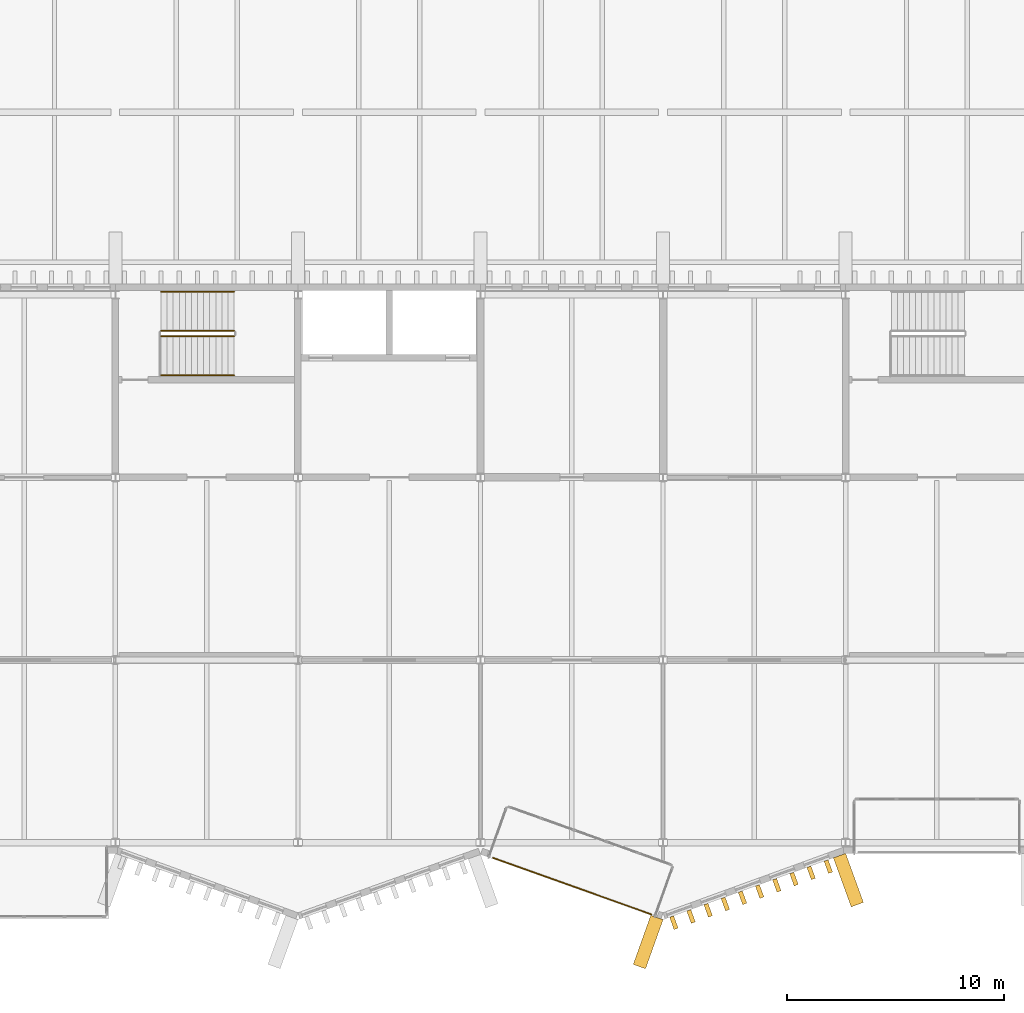
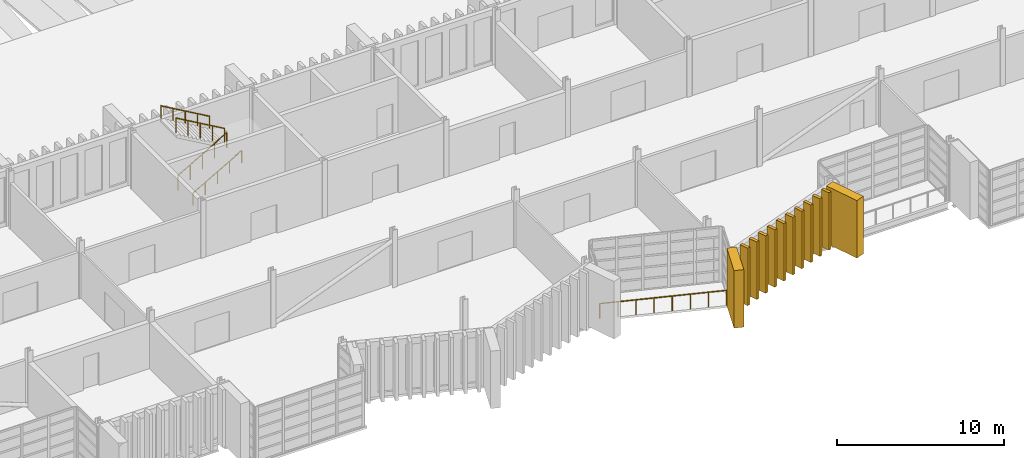
# One storey, part 84 of 96: 12 coverings, 5 railings.
"""IFC4 building model written with IfcOpenShell, lengths in metres."""

from ifc_helpers import new_model, si_unit, direction, frame, origin, origin_2d, place, context, subcontext, project, spatial, rectangle, circle, extrude, material, type_object, element, save


model = new_model("IFC4")

# Units and contexts
model_context = context("Model", 3, precision=1e-05, world=origin(), true_north=direction((0.0, 1.0)))
body_context = subcontext(model_context, "Body", "Model", "MODEL_VIEW")
ifc_project = project(units=[si_unit("LENGTHUNIT", "METRE"), si_unit("AREAUNIT", "SQUARE_METRE"), si_unit("VOLUMEUNIT", "CUBIC_METRE"), si_unit("PLANEANGLEUNIT", "RADIAN"), si_unit("MASSUNIT", "GRAM", prefix="KILO")], contexts=[model_context])

# Site, building, storey
site_placement = place(None, origin())
site = spatial("IfcSite", under=ifc_project, at=site_placement, CompositionType="ELEMENT")
building_placement = place(site_placement, origin())
building = spatial("IfcBuilding", under=site, at=building_placement, Name="Cresset Court Congress Hotel", CompositionType="ELEMENT")
storey_placement = place(building_placement, frame((0.0, 0.0, 6.0)))
storey = spatial("IfcBuildingStorey", under=building, at=storey_placement, Name="L01", CompositionType="ELEMENT", Elevation=6.0)

# Railings
ifc_material_1 = material(Name="Steel and laminated glass", Category="steel")
railing_type_1 = type_object("IfcRailingType", Name="Guard 1100 steel and glass", PredefinedType="GUARDRAIL", material=ifc_material_1)
railing_1_placement = place(storey_placement, frame((102.89990234375, 23.300048828125, 0.16162109375)))
element("IfcRailing", 1, at=railing_1_placement, inside=storey, type_object=railing_type_1, Name="L01 ST-B4 stair guard 1", PredefinedType="GUARDRAIL", context=body_context, shape_type="SweptSolid", body=[
    extrude(circle(Radius=0.02392578125, at=origin_2d()), frame((0.0, 0.0, 1.076171875), z_axis=(0.866190824863, 0.0, 0.499713372768), x_axis=(0.0, 1.0, 0.0)), (0.0, 0.0, 1.0), 3.879150390625),
    extrude(circle(Radius=0.02099609375, at=origin_2d()), origin(), (0.0, 0.0, 1.0), 1.052001953125),
    extrude(circle(Radius=0.02099609375, at=origin_2d()), frame((0.840087890625, 0.0, 0.484619140625)), (0.0, 0.0, 1.0), 1.052001953125),
    extrude(circle(Radius=0.02099609375, at=origin_2d()), frame((1.68017578125, 0.0, 0.96923828125)), (0.0, 0.0, 1.0), 1.052001953125),
    extrude(circle(Radius=0.02099609375, at=origin_2d()), frame((2.52001953125, 0.0, 1.453857421875)), (0.0, 0.0, 1.0), 1.052001953125),
    extrude(circle(Radius=0.02099609375, at=origin_2d()), frame((3.360107421875, 0.0, 1.9384765625)), (0.0, 0.0, 1.0), 1.052001953125),
])
railing_2_placement = place(storey_placement, frame((106.260009765625, 23.550048828125, 2.261474609375)))
element("IfcRailing", 2, at=railing_2_placement, inside=storey, type_object=railing_type_1, Name="L01 ST-B4 stair guard 3", PredefinedType="GUARDRAIL", context=body_context, shape_type="SweptSolid", body=[
    extrude(circle(Radius=0.02392578125, at=origin_2d()), frame((0.0, 0.0, 1.076171875), z_axis=(-0.866190824863, 0.0, 0.499713372768), x_axis=(0.0, -1.0, 0.0)), (0.0, 0.0, 1.0), 3.879150390625),
    extrude(circle(Radius=0.02099609375, at=origin_2d()), origin(), (0.0, 0.0, 1.0), 1.052001953125),
    extrude(circle(Radius=0.02099609375, at=origin_2d()), frame((-0.840087890625, 0.0, 0.484619140625)), (0.0, 0.0, 1.0), 1.052001953125),
    extrude(circle(Radius=0.02099609375, at=origin_2d()), frame((-1.68017578125, 0.0, 0.96923828125)), (0.0, 0.0, 1.0), 1.052001953125),
    extrude(circle(Radius=0.02099609375, at=origin_2d()), frame((-2.52001953125, 0.0, 1.453857421875)), (0.0, 0.0, 1.0), 1.052001953125),
    extrude(circle(Radius=0.02099609375, at=origin_2d()), frame((-3.360107421875, 0.0, 1.9384765625)), (0.0, 0.0, 1.0), 1.052001953125),
])
ifc_material_2 = material(Name="Steel and laminated glass", Category="steel")
railing_type_2 = type_object("IfcRailingType", Name="Guard 1100 steel and glass external", PredefinedType="GUARDRAIL", material=ifc_material_2)
railing_3_placement = place(storey_placement, frame((118.181884765625, -0.704833984375, 0.0)))
element("IfcRailing", 3, at=railing_3_placement, inside=storey, type_object=railing_type_2, Name="Guard to recess S0115", PredefinedType="GUARDRAIL", context=body_context, shape_type="SweptSolid", body=[
    extrude(circle(Radius=0.02392578125, at=origin_2d()), frame((0.0, 0.0, 1.076171875), z_axis=(0.941748351249, -0.336318365422, 0.0), x_axis=(0.336318365422, 0.941748351249, 0.0)), (0.0, 0.0, 1.0), 7.719482421875),
    extrude(circle(Radius=0.02099609375, at=origin_2d()), origin(), (0.0, 0.0, 1.0), 1.052001953125),
    extrude(circle(Radius=0.02099609375, at=origin_2d()), frame((1.03857421875, -0.370849609375, 0.0)), (0.0, 0.0, 1.0), 1.052001953125),
    extrude(circle(Radius=0.02099609375, at=origin_2d()), frame((2.0771484375, -0.74169921875, 0.0)), (0.0, 0.0, 1.0), 1.052001953125),
    extrude(circle(Radius=0.02099609375, at=origin_2d()), frame((3.11572265625, -1.112548828125, 0.0)), (0.0, 0.0, 1.0), 1.052001953125),
    extrude(circle(Radius=0.02099609375, at=origin_2d()), frame((4.154052734375, -1.483642578125, 0.0)), (0.0, 0.0, 1.0), 1.052001953125),
    extrude(circle(Radius=0.02099609375, at=origin_2d()), frame((5.192626953125, -1.8544921875, 0.0)), (0.0, 0.0, 1.0), 1.052001953125),
    extrude(circle(Radius=0.02099609375, at=origin_2d()), frame((6.231201171875, -2.225341796875, 0.0)), (0.0, 0.0, 1.0), 1.052001953125),
    extrude(circle(Radius=0.02099609375, at=origin_2d()), frame((7.269775390625, -2.59619140625, 0.0)), (0.0, 0.0, 1.0), 1.052001953125),
])
ifc_material_3 = material(Name="Stainless steel", Category="steel")
railing_type_3 = type_object("IfcRailingType", Name="Handrail 48 stainless", PredefinedType="HANDRAIL", material=ifc_material_3)
railing_4_placement = place(storey_placement, frame((102.89990234375, 21.5, 0.16162109375)))
element("IfcRailing", 4, at=railing_4_placement, inside=storey, type_object=railing_type_3, Name="L01 ST-B4 stair handrail 1", PredefinedType="HANDRAIL", context=body_context, shape_type="SweptSolid", body=[
    extrude(circle(Radius=0.02392578125, at=origin_2d()), frame((0.0, 0.0, 0.8759765625), z_axis=(0.866190824863, 0.0, 0.499713372768), x_axis=(0.0, 1.0, 0.0)), (0.0, 0.0, 1.0), 3.879150390625),
    extrude(circle(Radius=0.02099609375, at=origin_2d()), origin(), (0.0, 0.0, 1.0), 0.851806640625),
    extrude(circle(Radius=0.02099609375, at=origin_2d()), frame((0.840087890625, 0.0, 0.484619140625)), (0.0, 0.0, 1.0), 0.851806640625),
    extrude(circle(Radius=0.02099609375, at=origin_2d()), frame((1.68017578125, 0.0, 0.96923828125)), (0.0, 0.0, 1.0), 0.851806640625),
    extrude(circle(Radius=0.02099609375, at=origin_2d()), frame((2.52001953125, 0.0, 1.453857421875)), (0.0, 0.0, 1.0), 0.851806640625),
    extrude(circle(Radius=0.02099609375, at=origin_2d()), frame((3.360107421875, 0.0, 1.9384765625)), (0.0, 0.0, 1.0), 0.851806640625),
])
railing_5_placement = place(storey_placement, frame((106.260009765625, 25.35009765625, 2.261474609375)))
element("IfcRailing", 5, at=railing_5_placement, inside=storey, type_object=railing_type_3, Name="L01 ST-B4 stair handrail 2", PredefinedType="HANDRAIL", context=body_context, shape_type="SweptSolid", body=[
    extrude(circle(Radius=0.02392578125, at=origin_2d()), frame((0.0, 0.0, 0.8759765625), z_axis=(-0.866190824863, 0.0, 0.499713372768), x_axis=(0.0, -1.0, 0.0)), (0.0, 0.0, 1.0), 3.879150390625),
    extrude(circle(Radius=0.02099609375, at=origin_2d()), origin(), (0.0, 0.0, 1.0), 0.851806640625),
    extrude(circle(Radius=0.02099609375, at=origin_2d()), frame((-0.840087890625, 0.0, 0.484619140625)), (0.0, 0.0, 1.0), 0.851806640625),
    extrude(circle(Radius=0.02099609375, at=origin_2d()), frame((-1.68017578125, 0.0, 0.96923828125)), (0.0, 0.0, 1.0), 0.851806640625),
    extrude(circle(Radius=0.02099609375, at=origin_2d()), frame((-2.52001953125, 0.0, 1.453857421875)), (0.0, 0.0, 1.0), 0.851806640625),
    extrude(circle(Radius=0.02099609375, at=origin_2d()), frame((-3.360107421875, 0.0, 1.9384765625)), (0.0, 0.0, 1.0), 0.851806640625),
])

# Coverings
ifc_material_4 = material(Name="Precast concrete C50", Category="concrete")
covering_type_1 = type_object("IfcCoveringType", Name="Precast stone fin 200x600 variant 1", PredefinedType="CLADDING", material=ifc_material_4)
for number, where, z_axis, x_axis, name in (
    (6, (126.4970703125, -3.688720703125, 0.0), (0.0, 0.0, 1.0), (0.939956783309, 0.341293488819, 0.0), "Fin S01-140"),
    (7, (127.28662109375, -3.40185546875, 0.0), (0.0, 0.0, 1.0), (0.939956783309, 0.341293488819, 0.0), "Fin S01-141"),
    (8, (128.076416015625, -3.115234375, 0.0), (0.0, 0.0, 1.0), (0.939956783309, 0.341293488819, 0.0), "Fin S01-142"),
    (9, (128.865966796875, -2.82861328125, 0.0), (0.0, 0.0, 1.0), (0.939956783309, 0.341293488819, 0.0), "Fin S01-143"),
    (10, (129.655517578125, -2.5419921875, 0.0), (0.0, 0.0, 1.0), (0.939956783309, 0.341293488819, 0.0), "Fin S01-144"),
    (11, (130.445068359375, -2.255126953125, 0.0), (0.0, 0.0, 1.0), (0.939956783309, 0.341293488819, 0.0), "Fin S01-145"),
    (12, (131.234619140625, -1.968505859375, 0.0), (0.0, 0.0, 1.0), (0.939956783309, 0.341293488819, 0.0), "Fin S01-146"),
    (13, (132.024169921875, -1.681884765625, 0.0), (0.0, 0.0, 1.0), (0.939956783309, 0.341293488819, 0.0), "Fin S01-147"),
    (14, (132.813720703125, -1.395263671875, 0.0), (0.0, 0.0, 1.0), (0.939956783309, 0.341293488819, 0.0), "Fin S01-148"),
    (15, (133.603271484375, -1.1083984375, 0.0), (0.0, 0.0, 1.0), (0.939956783309, 0.341293488819, 0.0), "Fin S01-149"),
):
    element("IfcCovering", number, at=place(storey_placement, frame(where, z_axis=z_axis, x_axis=x_axis)), inside=storey, type_object=covering_type_1, Name=name, PredefinedType="CLADDING", context=body_context, shape_type="SweptSolid", body=[
        extrude(rectangle(XDim=0.199951171875, YDim=0.60009765625, at=origin_2d()), origin(), (0.0, 0.0, 1.0), 4.199951171875),
    ])
ifc_material_5 = material(Name="Precast concrete C50", Category="concrete")
covering_type_2 = type_object("IfcCoveringType", Name="Precast stone pier 600x2400", PredefinedType="CLADDING", material=ifc_material_5)
for number, where, z_axis, x_axis, name in (
    (16, (125.31396484375, -4.5791015625, 0.0), (0.0, 0.0, 1.0), (0.94174205282, -0.336336001568, 0.0), "Pier S01-14"),
    (17, (134.527587890625, -1.730224609375, 0.0), (0.0, 0.0, 1.0), (0.939956783309, 0.341293488819, 0.0), "Pier S01-15"),
):
    element("IfcCovering", number, at=place(storey_placement, frame(where, z_axis=z_axis, x_axis=x_axis)), inside=storey, type_object=covering_type_2, Name=name, PredefinedType="CLADDING", context=body_context, shape_type="SweptSolid", body=[
        extrude(rectangle(XDim=0.60009765625, YDim=2.39990234375, at=origin_2d()), origin(), (0.0, 0.0, 1.0), 4.199951171875),
    ])

save(model, "model.ifc")
